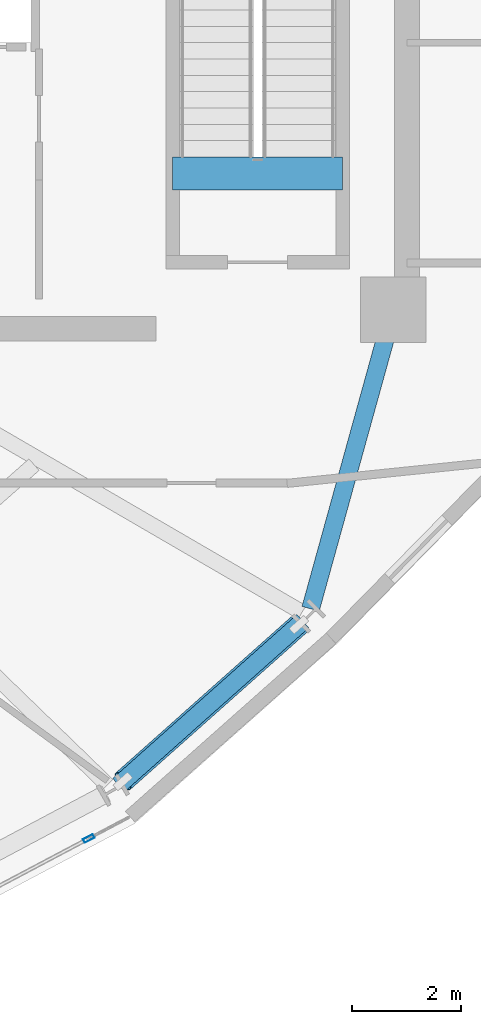
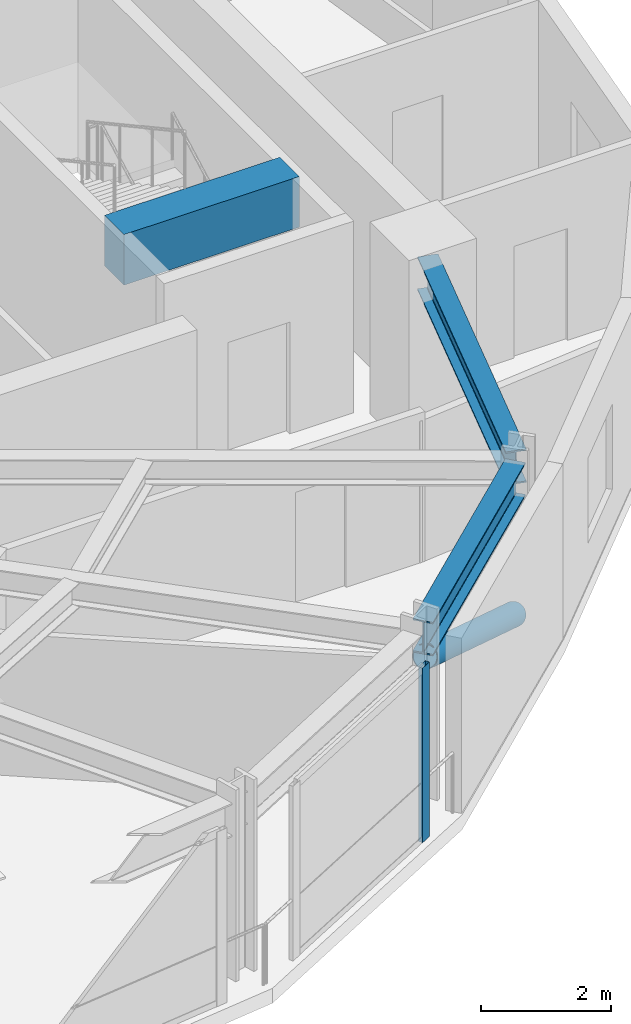
# One storey, part 6 of 19: 3 beams, 2 members, 1 element without a shape of its own.
"""IFC4 building model written with IfcOpenShell, lengths in metres."""

from ifc_helpers import new_model, si_unit, direction, frame, origin, origin_2d, place, context, subcontext, project, spatial, rectangle, hollow_rectangle, hollow_circle, i_section, extrude, material, layer, layer_set, material_profile, profile_set, type_object, element, aggregate, save


model = new_model("IFC4")

# Units and contexts
model_context = context("Model", 3, precision=1e-05, world=origin(), true_north=direction((0.0, 1.0)))
body_context = subcontext(model_context, "Body", "Model", "MODEL_VIEW")
ifc_project = project(units=[si_unit("LENGTHUNIT", "METRE"), si_unit("AREAUNIT", "SQUARE_METRE"), si_unit("VOLUMEUNIT", "CUBIC_METRE"), si_unit("PLANEANGLEUNIT", "RADIAN"), si_unit("MASSUNIT", "GRAM", prefix="KILO")], contexts=[model_context])

# Site, building, storey
site_placement = place(None, origin())
site = spatial("IfcSite", under=ifc_project, at=site_placement, CompositionType="ELEMENT")
building_placement = place(site_placement, origin())
building = spatial("IfcBuilding", under=site, at=building_placement, Name="Solvane Sanctuary Tower", CompositionType="ELEMENT")
storey_placement = place(building_placement, frame((0.0, 0.0, 242.39990234375)))
storey = spatial("IfcBuildingStorey", under=building, at=storey_placement, Name="L74", CompositionType="ELEMENT", Elevation=242.39990234375)

# Beams
ifc_material_1 = material(Name="Concrete C70/85", Category="concrete")
ifc_material_profile_1 = material_profile(ifc_material_1, rectangle(XDim=0.60009765625, YDim=0.949951171875, at=origin_2d()), Name="RC600X950")
ifc_profile_set_1 = profile_set([ifc_material_profile_1], Name="Concrete C70/85")
beam_type_1 = type_object("IfcBeamType", Name="Beam B-COUPLE RC600X950", PredefinedType="LINTEL", material=ifc_profile_set_1)
beam_1_placement = place(storey_placement, frame((44.64990234375, 19.399169921875, 3.125), z_axis=(1.0, 0.0, 0.0), x_axis=(0.0, 1.0, 0.0)))
element("IfcBeam", 1, at=beam_1_placement, inside=storey, type_object=beam_type_1, Name="L74 ST-2 Stair Floor Landing Trimmer", PredefinedType="LINTEL", context=body_context, shape_type="SweptSolid", body=[
    extrude(rectangle(XDim=0.60009765625, YDim=0.949951171875, at=origin_2d()), origin(), (0.0, 0.0, 1.0), 3.1201171875),
])
ifc_material_2 = material(Name="Steel ASTM A992 Grade 50", Category="steel")
ifc_material_profile_2 = material_profile(ifc_material_2, i_section(OverallWidth=0.327880859375, OverallDepth=0.6279296875, WebThickness=0.0166015625, FlangeThickness=0.027587890625, FilletRadius=0.01611328125, at=origin_2d()), Name="W24X146")
ifc_profile_set_2 = profile_set([ifc_material_profile_2], Name="Steel ASTM A992 Grade 50")
beam_type_2 = type_object("IfcBeamType", Name="Beam B-SPAND-Z3 W24X146", PredefinedType="SPANDREL", material=ifc_profile_set_2)
beam_2_placement = place(storey_placement, frame((43.65966796875, 8.17919921875, 3.004150390625), z_axis=(0.747206834793, 0.664591563322, 0.0), x_axis=(-0.664591563322, 0.747206834793, 0.0)))
element("IfcBeam", 2, at=beam_2_placement, inside=storey, type_object=beam_type_2, Name="L74 Perimeter Spandrel Beam TC13-TC14", PredefinedType="SPANDREL", context=body_context, shape_type="SweptSolid", body=[
    extrude(i_section(OverallWidth=0.327880859375, OverallDepth=0.6279296875, WebThickness=0.0166015625, FlangeThickness=0.027587890625, FilletRadius=0.01611328125, at=origin_2d()), origin(), (0.0, 0.0, 1.0), 4.5244140625),
])
beam_3_placement = place(storey_placement, frame((47.18212890625, 11.4140625, 3.004150390625), z_axis=(0.266650248701, 0.963793362121, 0.0), x_axis=(-0.963793362121, 0.266650248701, 0.0)))
element("IfcBeam", 3, at=beam_3_placement, inside=storey, type_object=beam_type_2, Name="L74 Perimeter Spandrel Beam TC14-CE2", PredefinedType="SPANDREL", context=body_context, shape_type="SweptSolid", body=[
    extrude(i_section(OverallWidth=0.327880859375, OverallDepth=0.6279296875, WebThickness=0.0166015625, FlangeThickness=0.027587890625, FilletRadius=0.01611328125, at=origin_2d()), origin(), (0.0, 0.0, 1.0), 5.412109375),
])

# Curtain wall, member
ifc_material_3 = material(Name="Anodised Aluminium 6063-T6", Category="aluminium")
ifc_layer = layer(ifc_material_3, 0.18994140625, Name="Anodised Aluminium 6063-T6")
ifc_layer_set = layer_set([ifc_layer], Name="Anodised Aluminium 6063-T6")
curtain_wall_type = type_object("IfcCurtainWallType", Name="Curtain Wall CW-OPER", PredefinedType="NOTDEFINED", material=ifc_layer_set)
curtain_wall_placement = place(storey_placement, origin())
curtain_wall = element("IfcCurtainWall", 4, at=curtain_wall_placement, inside=storey, type_object=curtain_wall_type, Name="L74 CW-OPER Facade Run 19", PredefinedType="NOTDEFINED")
ifc_material_profile_3 = material_profile(ifc_material_3, hollow_rectangle(XDim=0.074951171875, YDim=0.199951171875, WallThickness=0.00390625, at=origin_2d()), Name="ALU200X75X4")
ifc_profile_set_3 = profile_set([ifc_material_profile_3], Name="Anodised Aluminium 6063-T6")
member_type_1 = type_object("IfcMemberType", Name="Member M-CW-MUL-1 ALU200X75X4", PredefinedType="MULLION", material=ifc_profile_set_3)
member_1_placement = place(storey_placement, frame((43.112060546875, 7.199951171875, 0.0), z_axis=(0.0, 0.0, 1.0), x_axis=(-0.467523293544, 0.883980752049, 0.0)))
member_1 = element("IfcMember", 5, at=member_1_placement, type_object=member_type_1, Name="CW-OPER mullion 2", PredefinedType="MULLION", context=body_context, shape_type="SweptSolid", body=[
    extrude(hollow_rectangle(XDim=0.074951171875, YDim=0.199951171875, WallThickness=0.00390625, at=origin_2d()), origin(), (0.0, 0.0, 1.0), 3.280029296875),
])
aggregate(curtain_wall, [member_1])

# Member
ifc_material_profile_4 = material_profile(ifc_material_2, hollow_circle(Radius=0.202880859375, WallThickness=0.012451171875, at=origin_2d()), Name="CHS406X12.5")
ifc_profile_set_4 = profile_set([ifc_material_profile_4], Name="Steel ASTM A992 Grade 50")
member_type_2 = type_object("IfcMemberType", Name="Member M-TUBE-Z3 CHS406X12.5", PredefinedType="BRACE", material=ifc_profile_set_4)
member_2_placement = place(storey_placement, frame((46.964111328125, 11.118408203125, 0.496337890625), z_axis=(-0.673397052397, -0.598966005648, 0.433331436549), x_axis=(0.664606066876, -0.747193934579, 0.0)))
element("IfcMember", 6, at=member_2_placement, inside=storey, type_object=member_type_2, Name="L74 Perimeter Braced-Tube Diagonal SE", PredefinedType="BRACE", context=body_context, shape_type="SweptSolid", body=[
    extrude(hollow_circle(Radius=0.202880859375, WallThickness=0.012451171875, at=origin_2d()), origin(), (0.0, 0.0, 1.0), 4.788818359375),
])

save(model, "model.ifc")
